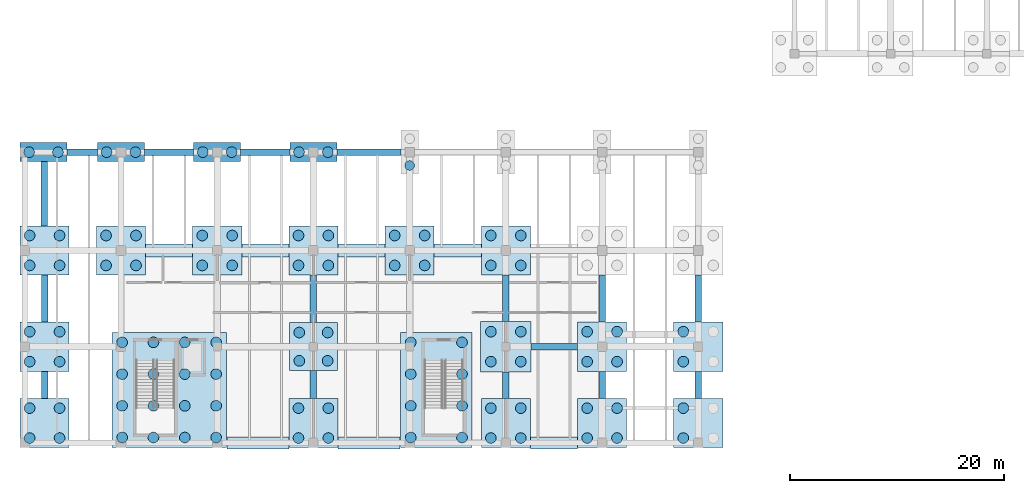
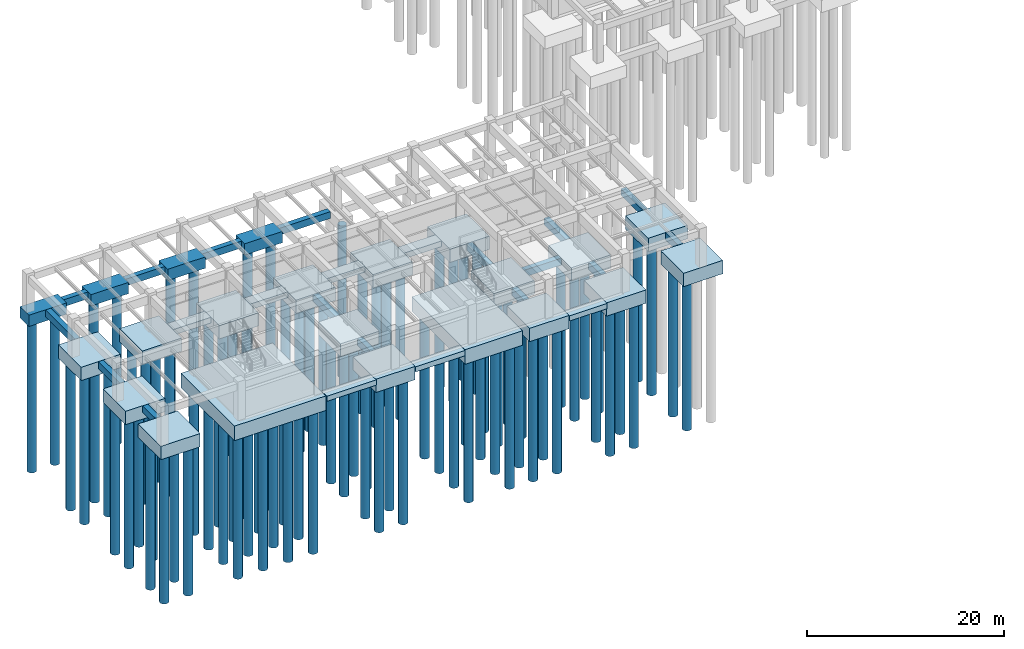
# One storey, part 1 of 16: 93 piles, 45 footings.
"""IFC4 building model written with IfcOpenShell, lengths in metres."""

from ifc_helpers import new_model, si_unit, direction, frame, origin, origin_2d, place, context, subcontext, project, spatial, rectangle, circle, extrude, material, material_profile, profile_set, type_object, element, save


model = new_model("IFC4")

# Units and contexts
model_context = context("Model", 3, precision=1e-05, world=origin(), true_north=direction((0.0, 1.0)))
body_context = subcontext(model_context, "Body", "Model", "MODEL_VIEW")
ifc_project = project(units=[si_unit("LENGTHUNIT", "METRE"), si_unit("AREAUNIT", "SQUARE_METRE"), si_unit("VOLUMEUNIT", "CUBIC_METRE"), si_unit("PLANEANGLEUNIT", "RADIAN"), si_unit("MASSUNIT", "GRAM", prefix="KILO")], contexts=[model_context])

# Site, building, storey
site_placement = place(None, origin())
site = spatial("IfcSite", under=ifc_project, at=site_placement, CompositionType="ELEMENT")
building_placement = place(site_placement, origin())
building = spatial("IfcBuilding", under=site, at=building_placement, Name="Bozkorgan Art Gallery", CompositionType="ELEMENT")
storey_placement = place(building_placement, frame((0.0, 0.0, -4.800048828125)))
storey = spatial("IfcBuildingStorey", under=building, at=storey_placement, Name="B1", CompositionType="ELEMENT", Elevation=-4.800048828125)

# Footings
ifc_material = material(Name="Concrete C30/37", Category="concrete")
ifc_material_profile_1 = material_profile(ifc_material, rectangle(XDim=0.60009765625, YDim=0.85009765625, at=origin_2d()), Name="FND 600x850")
ifc_profile_set_1 = profile_set([ifc_material_profile_1], Name="Concrete C30/37")
footing_type_1 = type_object("IfcFootingType", Name="FOOTING-FB-70", PredefinedType="FOOTING_BEAM", material=ifc_profile_set_1)
footing_1_placement = place(storey_placement, frame((49.35009765625, 11.0, -0.925048828125), z_axis=(1.0, 0.0, 0.0), x_axis=(0.0, 1.0, 0.0)))
element("IfcFooting", 1, at=footing_1_placement, inside=storey, type_object=footing_type_1, Name="V1 foundation tie beam X (47-56, 11.0)", PredefinedType="FOOTING_BEAM", context=body_context, shape_type="SweptSolid", body=[
    extrude(rectangle(XDim=0.60009765625, YDim=0.85009765625, at=origin_2d()), origin(), (0.0, 0.0, 1.0), 4.349853515625),
])
footing_2_placement = place(storey_placement, frame((5.949951171875, 29.199951171875, -0.425048828125), z_axis=(1.0, 0.0, 0.0), x_axis=(0.0, 1.0, 0.0)))
element("IfcFooting", 2, at=footing_2_placement, inside=storey, type_object=footing_type_1, Name="V1 foundation tie beam X (2-11, 29.2)", PredefinedType="FOOTING_BEAM", context=body_context, shape_type="SweptSolid", body=[
    extrude(rectangle(XDim=0.60009765625, YDim=0.85009765625, at=origin_2d()), origin(), (0.0, 0.0, 1.0), 2.85009765625),
])
for number, where, z_axis, x_axis, name in (
    (3, (13.199951171875, 29.199951171875, -0.425048828125), (1.0, 0.0, 0.0), (0.0, 1.0, 0.0), "V1 foundation tie beam X (11-20, 29.2)"),
    (4, (22.199951171875, 29.199951171875, -0.425048828125), (1.0, 0.0, 0.0), (0.0, 1.0, 0.0), "V1 foundation tie beam X (20-29, 29.2)"),
):
    element("IfcFooting", number, at=place(storey_placement, frame(where, z_axis=z_axis, x_axis=x_axis)), inside=storey, type_object=footing_type_1, Name=name, PredefinedType="FOOTING_BEAM", context=body_context, shape_type="SweptSolid", body=[
        extrude(rectangle(XDim=0.60009765625, YDim=0.85009765625, at=origin_2d()), origin(), (0.0, 0.0, 1.0), 4.60009765625),
    ])
footing_3_placement = place(storey_placement, frame((31.199951171875, 29.199951171875, -0.425048828125), z_axis=(1.0, 0.0, 0.0), x_axis=(0.0, 1.0, 0.0)))
element("IfcFooting", 5, at=footing_3_placement, inside=storey, type_object=footing_type_1, Name="V1 foundation tie beam X (29-38, 29.2)", PredefinedType="FOOTING_BEAM", context=body_context, shape_type="SweptSolid", body=[
    extrude(rectangle(XDim=0.60009765625, YDim=0.85009765625, at=origin_2d()), origin(), (0.0, 0.0, 1.0), 5.97509765625),
])
footing_4_placement = place(storey_placement, frame((3.85009765625, 6.14990234375, -0.425048828125), z_axis=(0.0, 1.0, 0.0), x_axis=(-1.0, 0.0, 0.0)))
element("IfcFooting", 6, at=footing_4_placement, inside=storey, type_object=footing_type_1, Name="V1 foundation tie beam Y (2, 2.0-11.0)", PredefinedType="FOOTING_BEAM", context=body_context, shape_type="SweptSolid", body=[
    extrude(rectangle(XDim=0.60009765625, YDim=0.85009765625, at=origin_2d()), origin(), (0.0, 0.0, 1.0), 2.550048828125),
])
footing_5_placement = place(storey_placement, frame((3.85009765625, 13.300048828125, -0.425048828125), z_axis=(0.0, 1.0, 0.0), x_axis=(-1.0, 0.0, 0.0)))
element("IfcFooting", 7, at=footing_5_placement, inside=storey, type_object=footing_type_1, Name="V1 foundation tie beam Y (2, 11.0-20.0)", PredefinedType="FOOTING_BEAM", context=body_context, shape_type="SweptSolid", body=[
    extrude(rectangle(XDim=0.60009765625, YDim=0.85009765625, at=origin_2d()), origin(), (0.0, 0.0, 1.0), 4.39990234375),
])
footing_6_placement = place(storey_placement, frame((3.800048828125, 22.300048828125, -0.425048828125), z_axis=(0.0, 1.0, 0.0), x_axis=(-1.0, 0.0, 0.0)))
element("IfcFooting", 8, at=footing_6_placement, inside=storey, type_object=footing_type_1, Name="V1 foundation tie beam Y (2, 20.0-29.2)", PredefinedType="FOOTING_BEAM", context=body_context, shape_type="SweptSolid", body=[
    extrude(rectangle(XDim=0.60009765625, YDim=0.85009765625, at=origin_2d()), origin(), (0.0, 0.0, 1.0), 6.0),
])
footing_7_placement = place(storey_placement, frame((29.0, 6.14990234375, -0.925048828125), z_axis=(0.0, 1.0, 0.0), x_axis=(-1.0, 0.0, 0.0)))
element("IfcFooting", 9, at=footing_7_placement, inside=storey, type_object=footing_type_1, Name="V1 foundation tie beam Y (29, 2.0-11.0)", PredefinedType="FOOTING_BEAM", context=body_context, shape_type="SweptSolid", body=[
    extrude(rectangle(XDim=0.60009765625, YDim=0.85009765625, at=origin_2d()), origin(), (0.0, 0.0, 1.0), 2.60009765625),
])
footing_8_placement = place(storey_placement, frame((29.0, 13.25, -0.925048828125), z_axis=(0.0, 1.0, 0.0), x_axis=(-1.0, 0.0, 0.0)))
element("IfcFooting", 10, at=footing_8_placement, inside=storey, type_object=footing_type_1, Name="V1 foundation tie beam Y (29, 11.0-20.0)", PredefinedType="FOOTING_BEAM", context=body_context, shape_type="SweptSolid", body=[
    extrude(rectangle(XDim=0.60009765625, YDim=0.85009765625, at=origin_2d()), origin(), (0.0, 0.0, 1.0), 4.449951171875),
])
footing_9_placement = place(storey_placement, frame((47.0, 6.14990234375, -0.925048828125), z_axis=(0.0, 1.0, 0.0), x_axis=(-1.0, 0.0, 0.0)))
element("IfcFooting", 11, at=footing_9_placement, inside=storey, type_object=footing_type_1, Name="V1 foundation tie beam Y (47, 2.0-11.0)", PredefinedType="FOOTING_BEAM", context=body_context, shape_type="SweptSolid", body=[
    extrude(rectangle(XDim=0.60009765625, YDim=0.85009765625, at=origin_2d()), origin(), (0.0, 0.0, 1.0), 2.5),
])
footing_10_placement = place(storey_placement, frame((47.0, 13.35009765625, -0.925048828125), z_axis=(0.0, 1.0, 0.0), x_axis=(-1.0, 0.0, 0.0)))
element("IfcFooting", 12, at=footing_10_placement, inside=storey, type_object=footing_type_1, Name="V1 foundation tie beam Y (47, 11.0-20.0)", PredefinedType="FOOTING_BEAM", context=body_context, shape_type="SweptSolid", body=[
    extrude(rectangle(XDim=0.60009765625, YDim=0.85009765625, at=origin_2d()), origin(), (0.0, 0.0, 1.0), 4.349853515625),
])
footing_11_placement = place(storey_placement, frame((56.0, 6.14990234375, -0.925048828125), z_axis=(0.0, 1.0, 0.0), x_axis=(-1.0, 0.0, 0.0)))
element("IfcFooting", 13, at=footing_11_placement, inside=storey, type_object=footing_type_1, Name="V1 foundation tie beam Y (56, 2.0-11.0)", PredefinedType="FOOTING_BEAM", context=body_context, shape_type="SweptSolid", body=[
    extrude(rectangle(XDim=0.60009765625, YDim=0.85009765625, at=origin_2d()), origin(), (0.0, 0.0, 1.0), 2.550048828125),
])
footing_12_placement = place(storey_placement, frame((56.0, 13.300048828125, -0.925048828125), z_axis=(0.0, 1.0, 0.0), x_axis=(-1.0, 0.0, 0.0)))
element("IfcFooting", 14, at=footing_12_placement, inside=storey, type_object=footing_type_1, Name="V1 foundation tie beam Y (56, 11.0-20.0)", PredefinedType="FOOTING_BEAM", context=body_context, shape_type="SweptSolid", body=[
    extrude(rectangle(XDim=0.60009765625, YDim=0.85009765625, at=origin_2d()), origin(), (0.0, 0.0, 1.0), 4.39990234375),
])
footing_13_placement = place(storey_placement, frame((65.0, 6.14990234375, -0.425048828125), z_axis=(0.0, 1.0, 0.0), x_axis=(-1.0, 0.0, 0.0)))
element("IfcFooting", 15, at=footing_13_placement, inside=storey, type_object=footing_type_1, Name="V1 foundation tie beam Y (65, 2.0-11.0)", PredefinedType="FOOTING_BEAM", context=body_context, shape_type="SweptSolid", body=[
    extrude(rectangle(XDim=0.60009765625, YDim=0.85009765625, at=origin_2d()), origin(), (0.0, 0.0, 1.0), 2.550048828125),
])
footing_14_placement = place(storey_placement, frame((65.0, 13.300048828125, -0.425048828125), z_axis=(0.0, 1.0, 0.0), x_axis=(-1.0, 0.0, 0.0)))
element("IfcFooting", 16, at=footing_14_placement, inside=storey, type_object=footing_type_1, Name="V1 foundation tie beam Y (65, 11.0-20.0)", PredefinedType="FOOTING_BEAM", context=body_context, shape_type="SweptSolid", body=[
    extrude(rectangle(XDim=0.60009765625, YDim=0.85009765625, at=origin_2d()), origin(), (0.0, 0.0, 1.0), 4.39990234375),
])
footing_type_2 = type_object("IfcFootingType", Name="FOOTING-PC-54", PredefinedType="PILE_CAP", material=ifc_material)
footing_15_placement = place(storey_placement, frame((29.0, 11.0, -2.10009765625), z_axis=(0.0, 0.0, 1.0), x_axis=(1.0, 0.0, 0.0)))
element("IfcFooting", 17, at=footing_15_placement, inside=storey, type_object=footing_type_2, Name="V1 pile cap (29.0, 11.0)", PredefinedType="PILE_CAP", context=body_context, shape_type="SweptSolid", body=[
    extrude(rectangle(XDim=4.5, YDim=4.5, at=origin_2d()), origin(), (0.0, 0.0, 1.0), 1.60009765625),
])
footing_type_3 = type_object("IfcFootingType", Name="FOOTING-PC-69", PredefinedType="PILE_CAP", material=ifc_material)
for number, where, z_axis, x_axis, name in (
    (18, (3.75, 29.199951171875, -1.39990234375), (0.0, 0.0, 1.0), (1.0, 0.0, 0.0), "V1 pile cap (2.0, 29.2)"),
    (19, (11.0, 29.199951171875, -1.39990234375), (0.0, 0.0, 1.0), (1.0, 0.0, 0.0), "V1 pile cap (11.0, 29.2)"),
    (20, (20.0, 29.199951171875, -1.39990234375), (0.0, 0.0, 1.0), (1.0, 0.0, 0.0), "V1 pile cap (20.0, 29.2)"),
    (21, (29.0, 29.199951171875, -1.39990234375), (0.0, 0.0, 1.0), (1.0, 0.0, 0.0), "V1 pile cap (29.0, 29.2)"),
):
    element("IfcFooting", number, at=place(storey_placement, frame(where, z_axis=z_axis, x_axis=x_axis)), inside=storey, type_object=footing_type_3, Name=name, PredefinedType="PILE_CAP", context=body_context, shape_type="SweptSolid", body=[
        extrude(rectangle(XDim=4.39990234375, YDim=1.800048828125, at=origin_2d()), origin(), (0.0, 0.0, 1.0), 1.39990234375),
    ])
footing_type_4 = type_object("IfcFootingType", Name="FOOTING-PC-70", PredefinedType="PILE_CAP", material=ifc_material)
footing_16_placement = place(storey_placement, frame((15.5, 6.949951171875, -2.2998046875), z_axis=(0.0, 0.0, 1.0), x_axis=(1.0, 0.0, 0.0)))
element("IfcFooting", 22, at=footing_16_placement, inside=storey, type_object=footing_type_4, Name="CORE1 combined core pile cap", PredefinedType="PILE_CAP", context=body_context, shape_type="SweptSolid", body=[
    extrude(rectangle(XDim=10.699951171875, YDim=10.800048828125, at=origin_2d()), origin(), (0.0, 0.0, 1.0), 1.800048828125),
])
footing_type_5 = type_object("IfcFootingType", Name="FOOTING-PC-84", PredefinedType="PILE_CAP", material=ifc_material)
footing_17_placement = place(storey_placement, frame((40.5, 6.949951171875, -2.2998046875), z_axis=(0.0, 0.0, 1.0), x_axis=(1.0, 0.0, 0.0)))
element("IfcFooting", 23, at=footing_17_placement, inside=storey, type_object=footing_type_5, Name="CORE7 combined core pile cap", PredefinedType="PILE_CAP", context=body_context, shape_type="SweptSolid", body=[
    extrude(rectangle(XDim=6.699951171875, YDim=10.800048828125, at=origin_2d()), origin(), (0.0, 0.0, 1.0), 1.800048828125),
])
footing_type_6 = type_object("IfcFootingType", Name="FOOTING-PC-85", PredefinedType="PILE_CAP", material=ifc_material)
for number, where, z_axis, x_axis, name in (
    (24, (3.85009765625, 3.85009765625, -1.64990234375), (0.0, 0.0, 1.0), (1.0, 0.0, 0.0), "V1 pile cap (2.0, 2.0)"),
    (25, (3.85009765625, 11.0, -1.64990234375), (0.0, 0.0, 1.0), (1.0, 0.0, 0.0), "V1 pile cap (2.0, 11.0)"),
    (26, (3.85009765625, 20.0, -1.64990234375), (0.0, 0.0, 1.0), (1.0, 0.0, 0.0), "V1 pile cap (2.0, 20.0)"),
    (27, (11.0, 20.0, -2.14990234375), (0.0, 0.0, 1.0), (1.0, 0.0, 0.0), "V1 pile cap (11.0, 20.0)"),
    (28, (20.0, 20.0, -2.14990234375), (0.0, 0.0, 1.0), (1.0, 0.0, 0.0), "V1 pile cap (20.0, 20.0)"),
    (29, (29.0, 3.85009765625, -2.14990234375), (0.0, 0.0, 1.0), (1.0, 0.0, 0.0), "V1 pile cap (29.0, 2.0)"),
    (30, (29.0, 20.0, -2.14990234375), (0.0, 0.0, 1.0), (1.0, 0.0, 0.0), "V1 pile cap (29.0, 20.0)"),
    (31, (38.0, 20.0, -2.14990234375), (0.0, 0.0, 1.0), (1.0, 0.0, 0.0), "V1 pile cap (38.0, 20.0)"),
    (32, (47.0, 3.85009765625, -2.14990234375), (0.0, 0.0, 1.0), (1.0, 0.0, 0.0), "V1 pile cap (47.0, 2.0)"),
    (33, (47.0, 20.0, -2.14990234375), (0.0, 0.0, 1.0), (1.0, 0.0, 0.0), "V1 pile cap (47.0, 20.0)"),
    (34, (56.0, 3.85009765625, -2.14990234375), (0.0, 0.0, 1.0), (1.0, 0.0, 0.0), "V1 pile cap (56.0, 2.0)"),
    (35, (56.0, 11.0, -2.14990234375), (0.0, 0.0, 1.0), (1.0, 0.0, 0.0), "V1 pile cap (56.0, 11.0)"),
    (36, (65.0, 3.85009765625, -1.64990234375), (0.0, 0.0, 1.0), (1.0, 0.0, 0.0), "V1 pile cap (65.0, 2.0)"),
    (37, (65.0, 11.0, -1.64990234375), (0.0, 0.0, 1.0), (1.0, 0.0, 0.0), "V1 pile cap (65.0, 11.0)"),
):
    element("IfcFooting", number, at=place(storey_placement, frame(where, z_axis=z_axis, x_axis=x_axis)), inside=storey, type_object=footing_type_6, Name=name, PredefinedType="PILE_CAP", context=body_context, shape_type="SweptSolid", body=[
        extrude(rectangle(XDim=4.60009765625, YDim=4.60009765625, at=origin_2d()), origin(), (0.0, 0.0, 1.0), 1.64990234375),
    ])
footing_type_7 = type_object("IfcFootingType", Name="FOOTING-PC-95", PredefinedType="PILE_CAP", material=ifc_material)
footing_18_placement = place(storey_placement, frame((47.0, 11.0, -2.19970703125), z_axis=(0.0, 0.0, 1.0), x_axis=(1.0, 0.0, 0.0)))
element("IfcFooting", 38, at=footing_18_placement, inside=storey, type_object=footing_type_7, Name="V1 pile cap (47.0, 11.0)", PredefinedType="PILE_CAP", context=body_context, shape_type="SweptSolid", body=[
    extrude(rectangle(XDim=4.699951171875, YDim=4.699951171875, at=origin_2d()), origin(), (0.0, 0.0, 1.0), 1.699951171875),
])
ifc_material_profile_2 = material_profile(ifc_material, rectangle(XDim=1.25, YDim=0.699951171875, at=origin_2d()), Name="FND 1250x700")
ifc_profile_set_2 = profile_set([ifc_material_profile_2], Name="Concrete C30/37")
footing_type_8 = type_object("IfcFootingType", Name="FOOTING-SF-14", PredefinedType="STRIP_FOOTING", material=ifc_profile_set_2)
for number, where, z_axis, x_axis, name in (
    (39, (13.300048828125, 20.0, -0.824951171875), (1.0, 0.0, 0.0), (0.0, 1.0, 0.0), "V1 B1 retaining wall strip footing 4"),
    (40, (22.300048828125, 20.0, -0.824951171875), (1.0, 0.0, 0.0), (0.0, 1.0, 0.0), "V1 B1 retaining wall strip footing 5"),
    (41, (31.300048828125, 20.0, -0.824951171875), (1.0, 0.0, 0.0), (0.0, 1.0, 0.0), "V1 B1 retaining wall strip footing 6"),
    (42, (40.300048828125, 20.0, -0.824951171875), (1.0, 0.0, 0.0), (0.0, 1.0, 0.0), "V1 B1 retaining wall strip footing 7"),
):
    element("IfcFooting", number, at=place(storey_placement, frame(where, z_axis=z_axis, x_axis=x_axis)), inside=storey, type_object=footing_type_8, Name=name, PredefinedType="STRIP_FOOTING", context=body_context, shape_type="SweptSolid", body=[
        extrude(rectangle(XDim=1.25, YDim=0.699951171875, at=origin_2d()), origin(), (0.0, 0.0, 1.0), 4.39990234375),
    ])
ifc_material_profile_3 = material_profile(ifc_material, rectangle(XDim=1.10009765625, YDim=0.64990234375, at=origin_2d()), Name="FND 1100x650")
ifc_profile_set_3 = profile_set([ifc_material_profile_3], Name="Concrete C30/37")
footing_type_9 = type_object("IfcFootingType", Name="FOOTING-SF-92", PredefinedType="STRIP_FOOTING", material=ifc_profile_set_3)
for number, where, z_axis, x_axis, name in (
    (43, (20.89990234375, 2.0, -0.824951171875), (1.0, 0.0, 0.0), (0.0, 1.0, 0.0), "V1 B1 retaining wall strip footing 1"),
    (44, (31.300048828125, 2.0, -0.824951171875), (1.0, 0.0, 0.0), (0.0, 1.0, 0.0), "V1 B1 retaining wall strip footing 2"),
):
    element("IfcFooting", number, at=place(storey_placement, frame(where, z_axis=z_axis, x_axis=x_axis)), inside=storey, type_object=footing_type_9, Name=name, PredefinedType="STRIP_FOOTING", context=body_context, shape_type="SweptSolid", body=[
        extrude(rectangle(XDim=1.10009765625, YDim=0.64990234375, at=origin_2d()), origin(), (0.0, 0.0, 1.0), 5.800048828125),
    ])
footing_19_placement = place(storey_placement, frame((49.300048828125, 2.0, -0.824951171875), z_axis=(1.0, 0.0, 0.0), x_axis=(0.0, 1.0, 0.0)))
element("IfcFooting", 45, at=footing_19_placement, inside=storey, type_object=footing_type_9, Name="V1 B1 retaining wall strip footing 3", PredefinedType="STRIP_FOOTING", context=body_context, shape_type="SweptSolid", body=[
    extrude(rectangle(XDim=1.10009765625, YDim=0.64990234375, at=origin_2d()), origin(), (0.0, 0.0, 1.0), 4.39990234375),
])

# Piles
ifc_material_profile_4 = material_profile(ifc_material, circle(Radius=0.5, at=origin_2d()), Name="PILE D1000")
ifc_profile_set_4 = profile_set([ifc_material_profile_4], Name="Concrete C30/37")
pile_type_1 = type_object("IfcPileType", Name="PILE-P-36", PredefinedType="BORED", material=ifc_profile_set_4)
for number, where, z_axis, x_axis, name in (
    (46, (11.10009765625, 2.5, -2.199951171875), (0.0, 0.0, -1.0), (1.0, 0.0, 0.0), "CORE1 bored pile 1"),
    (47, (11.10009765625, 5.466796875, -2.199951171875), (0.0, 0.0, -1.0), (1.0, 0.0, 0.0), "CORE1 bored pile 2"),
    (48, (11.10009765625, 8.433349609375, -2.199951171875), (0.0, 0.0, -1.0), (1.0, 0.0, 0.0), "CORE1 bored pile 3"),
    (49, (11.10009765625, 11.39990234375, -2.199951171875), (0.0, 0.0, -1.0), (1.0, 0.0, 0.0), "CORE1 bored pile 4"),
    (50, (14.033203125, 2.5, -2.199951171875), (0.0, 0.0, -1.0), (1.0, 0.0, 0.0), "CORE1 bored pile 5"),
    (51, (14.033203125, 5.466796875, -2.199951171875), (0.0, 0.0, -1.0), (1.0, 0.0, 0.0), "CORE1 bored pile 6"),
    (52, (14.033203125, 8.433349609375, -2.199951171875), (0.0, 0.0, -1.0), (1.0, 0.0, 0.0), "CORE1 bored pile 7"),
    (53, (14.033203125, 11.39990234375, -2.199951171875), (0.0, 0.0, -1.0), (1.0, 0.0, 0.0), "CORE1 bored pile 8"),
    (54, (16.966796875, 2.5, -2.199951171875), (0.0, 0.0, -1.0), (1.0, 0.0, 0.0), "CORE1 bored pile 9"),
    (55, (16.966796875, 5.466796875, -2.199951171875), (0.0, 0.0, -1.0), (1.0, 0.0, 0.0), "CORE1 bored pile 10"),
    (56, (16.966796875, 8.433349609375, -2.199951171875), (0.0, 0.0, -1.0), (1.0, 0.0, 0.0), "CORE1 bored pile 11"),
    (57, (16.966796875, 11.39990234375, -2.199951171875), (0.0, 0.0, -1.0), (1.0, 0.0, 0.0), "CORE1 bored pile 12"),
    (58, (19.89990234375, 2.5, -2.199951171875), (0.0, 0.0, -1.0), (1.0, 0.0, 0.0), "CORE1 bored pile 13"),
    (59, (19.89990234375, 5.466796875, -2.199951171875), (0.0, 0.0, -1.0), (1.0, 0.0, 0.0), "CORE1 bored pile 14"),
    (60, (19.89990234375, 8.433349609375, -2.199951171875), (0.0, 0.0, -1.0), (1.0, 0.0, 0.0), "CORE1 bored pile 15"),
    (61, (19.89990234375, 11.39990234375, -2.199951171875), (0.0, 0.0, -1.0), (1.0, 0.0, 0.0), "CORE1 bored pile 16"),
    (62, (38.10009765625, 2.5, -2.199951171875), (0.0, 0.0, -1.0), (1.0, 0.0, 0.0), "CORE7 bored pile 1"),
    (63, (38.10009765625, 5.466796875, -2.199951171875), (0.0, 0.0, -1.0), (1.0, 0.0, 0.0), "CORE7 bored pile 2"),
    (64, (38.10009765625, 8.433349609375, -2.199951171875), (0.0, 0.0, -1.0), (1.0, 0.0, 0.0), "CORE7 bored pile 3"),
    (65, (38.10009765625, 11.39990234375, -2.199951171875), (0.0, 0.0, -1.0), (1.0, 0.0, 0.0), "CORE7 bored pile 4"),
    (66, (42.89990234375, 2.5, -2.199951171875), (0.0, 0.0, -1.0), (1.0, 0.0, 0.0), "CORE7 bored pile 5"),
    (67, (42.89990234375, 5.466796875, -2.199951171875), (0.0, 0.0, -1.0), (1.0, 0.0, 0.0), "CORE7 bored pile 6"),
    (68, (42.89990234375, 8.433349609375, -2.199951171875), (0.0, 0.0, -1.0), (1.0, 0.0, 0.0), "CORE7 bored pile 7"),
    (69, (42.89990234375, 11.39990234375, -2.199951171875), (0.0, 0.0, -1.0), (1.0, 0.0, 0.0), "CORE7 bored pile 8"),
):
    element("IfcPile", number, at=place(storey_placement, frame(where, z_axis=z_axis, x_axis=x_axis)), inside=storey, type_object=pile_type_1, Name=name, PredefinedType="BORED", context=body_context, shape_type="SweptSolid", body=[
        extrude(circle(Radius=0.5, at=origin_2d()), origin(), (0.0, 0.0, 1.0), 17.800048828125),
    ])
for number, where, z_axis, x_axis, name in (
    (70, (2.449951171875, 2.449951171875, -1.550048828125), (0.0, 0.0, -1.0), (1.0, 0.0, 0.0), "V1 pile (2.0, 2.0) #1"),
    (71, (5.25, 2.449951171875, -1.550048828125), (0.0, 0.0, -1.0), (1.0, 0.0, 0.0), "V1 pile (2.0, 2.0) #2"),
    (72, (2.449951171875, 5.25, -1.550048828125), (0.0, 0.0, -1.0), (1.0, 0.0, 0.0), "V1 pile (2.0, 2.0) #3"),
    (73, (5.25, 5.25, -1.550048828125), (0.0, 0.0, -1.0), (1.0, 0.0, 0.0), "V1 pile (2.0, 2.0) #4"),
    (74, (2.449951171875, 9.60009765625, -1.550048828125), (0.0, 0.0, -1.0), (1.0, 0.0, 0.0), "V1 pile (2.0, 11.0) #1"),
    (75, (5.25, 9.60009765625, -1.550048828125), (0.0, 0.0, -1.0), (1.0, 0.0, 0.0), "V1 pile (2.0, 11.0) #2"),
    (76, (2.449951171875, 12.39990234375, -1.550048828125), (0.0, 0.0, -1.0), (1.0, 0.0, 0.0), "V1 pile (2.0, 11.0) #3"),
    (77, (5.25, 12.39990234375, -1.550048828125), (0.0, 0.0, -1.0), (1.0, 0.0, 0.0), "V1 pile (2.0, 11.0) #4"),
    (78, (2.449951171875, 18.60009765625, -1.550048828125), (0.0, 0.0, -1.0), (1.0, 0.0, 0.0), "V1 pile (2.0, 20.0) #1"),
    (79, (5.25, 18.60009765625, -1.550048828125), (0.0, 0.0, -1.0), (1.0, 0.0, 0.0), "V1 pile (2.0, 20.0) #2"),
    (80, (2.449951171875, 21.39990234375, -1.550048828125), (0.0, 0.0, -1.0), (1.0, 0.0, 0.0), "V1 pile (2.0, 20.0) #3"),
    (81, (5.25, 21.39990234375, -1.550048828125), (0.0, 0.0, -1.0), (1.0, 0.0, 0.0), "V1 pile (2.0, 20.0) #4"),
):
    element("IfcPile", number, at=place(storey_placement, frame(where, z_axis=z_axis, x_axis=x_axis)), inside=storey, type_object=pile_type_1, Name=name, PredefinedType="BORED", context=body_context, shape_type="SweptSolid", body=[
        extrude(circle(Radius=0.5, at=origin_2d()), origin(), (0.0, 0.0, 1.0), 18.449951171875),
    ])
for number, where, z_axis, x_axis, name in (
    (82, (2.39990234375, 29.199951171875, -1.300048828125), (0.0, 0.0, -1.0), (1.0, 0.0, 0.0), "V1 pile (2.0, 29.2) #1"),
    (83, (5.10009765625, 29.199951171875, -1.300048828125), (0.0, 0.0, -1.0), (1.0, 0.0, 0.0), "V1 pile (2.0, 29.2) #2"),
):
    element("IfcPile", number, at=place(storey_placement, frame(where, z_axis=z_axis, x_axis=x_axis)), inside=storey, type_object=pile_type_1, Name=name, PredefinedType="BORED", context=body_context, shape_type="SweptSolid", body=[
        extrude(circle(Radius=0.5, at=origin_2d()), origin(), (0.0, 0.0, 1.0), 18.699951171875),
    ])
for number, where, z_axis, x_axis, name in (
    (84, (9.60009765625, 18.60009765625, -2.050048828125), (0.0, 0.0, -1.0), (1.0, 0.0, 0.0), "V1 pile (11.0, 20.0) #1"),
    (85, (12.39990234375, 18.60009765625, -2.050048828125), (0.0, 0.0, -1.0), (1.0, 0.0, 0.0), "V1 pile (11.0, 20.0) #2"),
    (86, (9.60009765625, 21.39990234375, -2.050048828125), (0.0, 0.0, -1.0), (1.0, 0.0, 0.0), "V1 pile (11.0, 20.0) #3"),
    (87, (12.39990234375, 21.39990234375, -2.050048828125), (0.0, 0.0, -1.0), (1.0, 0.0, 0.0), "V1 pile (11.0, 20.0) #4"),
):
    element("IfcPile", number, at=place(storey_placement, frame(where, z_axis=z_axis, x_axis=x_axis)), inside=storey, type_object=pile_type_1, Name=name, PredefinedType="BORED", context=body_context, shape_type="SweptSolid", body=[
        extrude(circle(Radius=0.5, at=origin_2d()), origin(), (0.0, 0.0, 1.0), 17.949951171875),
    ])
for number, where, z_axis, x_axis, name in (
    (88, (9.64990234375, 29.199951171875, -1.300048828125), (0.0, 0.0, -1.0), (1.0, 0.0, 0.0), "V1 pile (11.0, 29.2) #1"),
    (89, (12.35009765625, 29.199951171875, -1.300048828125), (0.0, 0.0, -1.0), (1.0, 0.0, 0.0), "V1 pile (11.0, 29.2) #2"),
):
    element("IfcPile", number, at=place(storey_placement, frame(where, z_axis=z_axis, x_axis=x_axis)), inside=storey, type_object=pile_type_1, Name=name, PredefinedType="BORED", context=body_context, shape_type="SweptSolid", body=[
        extrude(circle(Radius=0.5, at=origin_2d()), origin(), (0.0, 0.0, 1.0), 18.699951171875),
    ])
for number, where, z_axis, x_axis, name in (
    (90, (18.60009765625, 18.60009765625, -2.050048828125), (0.0, 0.0, -1.0), (1.0, 0.0, 0.0), "V1 pile (20.0, 20.0) #1"),
    (91, (21.39990234375, 18.60009765625, -2.050048828125), (0.0, 0.0, -1.0), (1.0, 0.0, 0.0), "V1 pile (20.0, 20.0) #2"),
    (92, (18.60009765625, 21.39990234375, -2.050048828125), (0.0, 0.0, -1.0), (1.0, 0.0, 0.0), "V1 pile (20.0, 20.0) #3"),
    (93, (21.39990234375, 21.39990234375, -2.050048828125), (0.0, 0.0, -1.0), (1.0, 0.0, 0.0), "V1 pile (20.0, 20.0) #4"),
):
    element("IfcPile", number, at=place(storey_placement, frame(where, z_axis=z_axis, x_axis=x_axis)), inside=storey, type_object=pile_type_1, Name=name, PredefinedType="BORED", context=body_context, shape_type="SweptSolid", body=[
        extrude(circle(Radius=0.5, at=origin_2d()), origin(), (0.0, 0.0, 1.0), 17.949951171875),
    ])
for number, where, z_axis, x_axis, name in (
    (94, (18.64990234375, 29.199951171875, -1.300048828125), (0.0, 0.0, -1.0), (1.0, 0.0, 0.0), "V1 pile (20.0, 29.2) #1"),
    (95, (21.35009765625, 29.199951171875, -1.300048828125), (0.0, 0.0, -1.0), (1.0, 0.0, 0.0), "V1 pile (20.0, 29.2) #2"),
):
    element("IfcPile", number, at=place(storey_placement, frame(where, z_axis=z_axis, x_axis=x_axis)), inside=storey, type_object=pile_type_1, Name=name, PredefinedType="BORED", context=body_context, shape_type="SweptSolid", body=[
        extrude(circle(Radius=0.5, at=origin_2d()), origin(), (0.0, 0.0, 1.0), 18.699951171875),
    ])
for number, where, z_axis, x_axis, name in (
    (96, (27.60009765625, 2.449951171875, -2.050048828125), (0.0, 0.0, -1.0), (1.0, 0.0, 0.0), "V1 pile (29.0, 2.0) #1"),
    (97, (30.39990234375, 2.449951171875, -2.050048828125), (0.0, 0.0, -1.0), (1.0, 0.0, 0.0), "V1 pile (29.0, 2.0) #2"),
    (98, (27.60009765625, 5.25, -2.050048828125), (0.0, 0.0, -1.0), (1.0, 0.0, 0.0), "V1 pile (29.0, 2.0) #3"),
    (99, (30.39990234375, 5.25, -2.050048828125), (0.0, 0.0, -1.0), (1.0, 0.0, 0.0), "V1 pile (29.0, 2.0) #4"),
):
    element("IfcPile", number, at=place(storey_placement, frame(where, z_axis=z_axis, x_axis=x_axis)), inside=storey, type_object=pile_type_1, Name=name, PredefinedType="BORED", context=body_context, shape_type="SweptSolid", body=[
        extrude(circle(Radius=0.5, at=origin_2d()), origin(), (0.0, 0.0, 1.0), 17.949951171875),
    ])
for number, where, z_axis, x_axis, name in (
    (100, (27.675048828125, 9.675048828125, -2.0), (0.0, 0.0, -1.0), (1.0, 0.0, 0.0), "V1 pile (29.0, 11.0) #1"),
    (101, (30.324951171875, 9.675048828125, -2.0), (0.0, 0.0, -1.0), (1.0, 0.0, 0.0), "V1 pile (29.0, 11.0) #2"),
    (102, (27.675048828125, 12.324951171875, -2.0), (0.0, 0.0, -1.0), (1.0, 0.0, 0.0), "V1 pile (29.0, 11.0) #3"),
    (103, (30.324951171875, 12.324951171875, -2.0), (0.0, 0.0, -1.0), (1.0, 0.0, 0.0), "V1 pile (29.0, 11.0) #4"),
):
    element("IfcPile", number, at=place(storey_placement, frame(where, z_axis=z_axis, x_axis=x_axis)), inside=storey, type_object=pile_type_1, Name=name, PredefinedType="BORED", context=body_context, shape_type="SweptSolid", body=[
        extrude(circle(Radius=0.5, at=origin_2d()), origin(), (0.0, 0.0, 1.0), 18.0),
    ])
for number, where, z_axis, x_axis, name in (
    (104, (27.60009765625, 18.60009765625, -2.050048828125), (0.0, 0.0, -1.0), (1.0, 0.0, 0.0), "V1 pile (29.0, 20.0) #1"),
    (105, (30.39990234375, 18.60009765625, -2.050048828125), (0.0, 0.0, -1.0), (1.0, 0.0, 0.0), "V1 pile (29.0, 20.0) #2"),
    (106, (27.60009765625, 21.39990234375, -2.050048828125), (0.0, 0.0, -1.0), (1.0, 0.0, 0.0), "V1 pile (29.0, 20.0) #3"),
    (107, (30.39990234375, 21.39990234375, -2.050048828125), (0.0, 0.0, -1.0), (1.0, 0.0, 0.0), "V1 pile (29.0, 20.0) #4"),
):
    element("IfcPile", number, at=place(storey_placement, frame(where, z_axis=z_axis, x_axis=x_axis)), inside=storey, type_object=pile_type_1, Name=name, PredefinedType="BORED", context=body_context, shape_type="SweptSolid", body=[
        extrude(circle(Radius=0.5, at=origin_2d()), origin(), (0.0, 0.0, 1.0), 17.949951171875),
    ])
for number, where, z_axis, x_axis, name in (
    (108, (27.64990234375, 29.199951171875, -1.300048828125), (0.0, 0.0, -1.0), (1.0, 0.0, 0.0), "V1 pile (29.0, 29.2) #1"),
    (109, (30.35009765625, 29.199951171875, -1.300048828125), (0.0, 0.0, -1.0), (1.0, 0.0, 0.0), "V1 pile (29.0, 29.2) #2"),
):
    element("IfcPile", number, at=place(storey_placement, frame(where, z_axis=z_axis, x_axis=x_axis)), inside=storey, type_object=pile_type_1, Name=name, PredefinedType="BORED", context=body_context, shape_type="SweptSolid", body=[
        extrude(circle(Radius=0.5, at=origin_2d()), origin(), (0.0, 0.0, 1.0), 18.699951171875),
    ])
for number, where, z_axis, x_axis, name in (
    (110, (36.60009765625, 18.60009765625, -2.050048828125), (0.0, 0.0, -1.0), (1.0, 0.0, 0.0), "V1 pile (38.0, 20.0) #1"),
    (111, (39.39990234375, 18.60009765625, -2.050048828125), (0.0, 0.0, -1.0), (1.0, 0.0, 0.0), "V1 pile (38.0, 20.0) #2"),
    (112, (36.60009765625, 21.39990234375, -2.050048828125), (0.0, 0.0, -1.0), (1.0, 0.0, 0.0), "V1 pile (38.0, 20.0) #3"),
    (113, (39.39990234375, 21.39990234375, -2.050048828125), (0.0, 0.0, -1.0), (1.0, 0.0, 0.0), "V1 pile (38.0, 20.0) #4"),
    (114, (45.60009765625, 2.449951171875, -2.050048828125), (0.0, 0.0, -1.0), (1.0, 0.0, 0.0), "V1 pile (47.0, 2.0) #1"),
    (115, (48.39990234375, 2.449951171875, -2.050048828125), (0.0, 0.0, -1.0), (1.0, 0.0, 0.0), "V1 pile (47.0, 2.0) #2"),
    (116, (45.60009765625, 5.25, -2.050048828125), (0.0, 0.0, -1.0), (1.0, 0.0, 0.0), "V1 pile (47.0, 2.0) #3"),
    (117, (48.39990234375, 5.25, -2.050048828125), (0.0, 0.0, -1.0), (1.0, 0.0, 0.0), "V1 pile (47.0, 2.0) #4"),
):
    element("IfcPile", number, at=place(storey_placement, frame(where, z_axis=z_axis, x_axis=x_axis)), inside=storey, type_object=pile_type_1, Name=name, PredefinedType="BORED", context=body_context, shape_type="SweptSolid", body=[
        extrude(circle(Radius=0.5, at=origin_2d()), origin(), (0.0, 0.0, 1.0), 17.949951171875),
    ])
for number, where, z_axis, x_axis, name in (
    (118, (45.60009765625, 9.60009765625, -2.099853515625), (0.0, 0.0, -1.0), (1.0, 0.0, 0.0), "V1 pile (47.0, 11.0) #1"),
    (119, (48.39990234375, 9.60009765625, -2.099853515625), (0.0, 0.0, -1.0), (1.0, 0.0, 0.0), "V1 pile (47.0, 11.0) #2"),
    (120, (45.60009765625, 12.39990234375, -2.099853515625), (0.0, 0.0, -1.0), (1.0, 0.0, 0.0), "V1 pile (47.0, 11.0) #3"),
    (121, (48.39990234375, 12.39990234375, -2.099853515625), (0.0, 0.0, -1.0), (1.0, 0.0, 0.0), "V1 pile (47.0, 11.0) #4"),
):
    element("IfcPile", number, at=place(storey_placement, frame(where, z_axis=z_axis, x_axis=x_axis)), inside=storey, type_object=pile_type_1, Name=name, PredefinedType="BORED", context=body_context, shape_type="SweptSolid", body=[
        extrude(circle(Radius=0.5, at=origin_2d()), origin(), (0.0, 0.0, 1.0), 17.89990234375),
    ])
for number, where, z_axis, x_axis, name in (
    (122, (45.60009765625, 18.60009765625, -2.050048828125), (0.0, 0.0, -1.0), (1.0, 0.0, 0.0), "V1 pile (47.0, 20.0) #1"),
    (123, (48.39990234375, 18.60009765625, -2.050048828125), (0.0, 0.0, -1.0), (1.0, 0.0, 0.0), "V1 pile (47.0, 20.0) #2"),
    (124, (45.60009765625, 21.39990234375, -2.050048828125), (0.0, 0.0, -1.0), (1.0, 0.0, 0.0), "V1 pile (47.0, 20.0) #3"),
    (125, (48.39990234375, 21.39990234375, -2.050048828125), (0.0, 0.0, -1.0), (1.0, 0.0, 0.0), "V1 pile (47.0, 20.0) #4"),
    (126, (54.60009765625, 2.449951171875, -2.050048828125), (0.0, 0.0, -1.0), (1.0, 0.0, 0.0), "V1 pile (56.0, 2.0) #1"),
    (127, (57.39990234375, 2.449951171875, -2.050048828125), (0.0, 0.0, -1.0), (1.0, 0.0, 0.0), "V1 pile (56.0, 2.0) #2"),
    (128, (54.60009765625, 5.25, -2.050048828125), (0.0, 0.0, -1.0), (1.0, 0.0, 0.0), "V1 pile (56.0, 2.0) #3"),
    (129, (57.39990234375, 5.25, -2.050048828125), (0.0, 0.0, -1.0), (1.0, 0.0, 0.0), "V1 pile (56.0, 2.0) #4"),
    (130, (54.60009765625, 9.60009765625, -2.050048828125), (0.0, 0.0, -1.0), (1.0, 0.0, 0.0), "V1 pile (56.0, 11.0) #1"),
    (131, (57.39990234375, 9.60009765625, -2.050048828125), (0.0, 0.0, -1.0), (1.0, 0.0, 0.0), "V1 pile (56.0, 11.0) #2"),
    (132, (54.60009765625, 12.39990234375, -2.050048828125), (0.0, 0.0, -1.0), (1.0, 0.0, 0.0), "V1 pile (56.0, 11.0) #3"),
    (133, (57.39990234375, 12.39990234375, -2.050048828125), (0.0, 0.0, -1.0), (1.0, 0.0, 0.0), "V1 pile (56.0, 11.0) #4"),
):
    element("IfcPile", number, at=place(storey_placement, frame(where, z_axis=z_axis, x_axis=x_axis)), inside=storey, type_object=pile_type_1, Name=name, PredefinedType="BORED", context=body_context, shape_type="SweptSolid", body=[
        extrude(circle(Radius=0.5, at=origin_2d()), origin(), (0.0, 0.0, 1.0), 17.949951171875),
    ])
for number, where, z_axis, x_axis, name in (
    (134, (63.60009765625, 2.449951171875, -1.550048828125), (0.0, 0.0, -1.0), (1.0, 0.0, 0.0), "V1 pile (65.0, 2.0) #1"),
    (135, (63.60009765625, 5.25, -1.550048828125), (0.0, 0.0, -1.0), (1.0, 0.0, 0.0), "V1 pile (65.0, 2.0) #3"),
    (136, (63.60009765625, 9.60009765625, -1.550048828125), (0.0, 0.0, -1.0), (1.0, 0.0, 0.0), "V1 pile (65.0, 11.0) #1"),
    (137, (63.60009765625, 12.39990234375, -1.550048828125), (0.0, 0.0, -1.0), (1.0, 0.0, 0.0), "V1 pile (65.0, 11.0) #3"),
):
    element("IfcPile", number, at=place(storey_placement, frame(where, z_axis=z_axis, x_axis=x_axis)), inside=storey, type_object=pile_type_1, Name=name, PredefinedType="BORED", context=body_context, shape_type="SweptSolid", body=[
        extrude(circle(Radius=0.5, at=origin_2d()), origin(), (0.0, 0.0, 1.0), 18.449951171875),
    ])
ifc_material_profile_5 = material_profile(ifc_material, circle(Radius=0.449951171875, at=origin_2d()), Name="PILE D900")
ifc_profile_set_5 = profile_set([ifc_material_profile_5], Name="Concrete C30/37")
pile_type_2 = type_object("IfcPileType", Name="PILE-P-65", PredefinedType="BORED", material=ifc_profile_set_5)
pile_placement = place(storey_placement, frame((38.0, 27.949951171875, -1.199951171875), z_axis=(0.0, 0.0, -1.0), x_axis=(1.0, 0.0, 0.0)))
element("IfcPile", 138, at=pile_placement, inside=storey, type_object=pile_type_2, Name="V1 pile (38.0, 29.2) #1", PredefinedType="BORED", context=body_context, shape_type="SweptSolid", body=[
    extrude(circle(Radius=0.449951171875, at=origin_2d()), origin(), (0.0, 0.0, 1.0), 18.800048828125),
])

save(model, "model.ifc")
